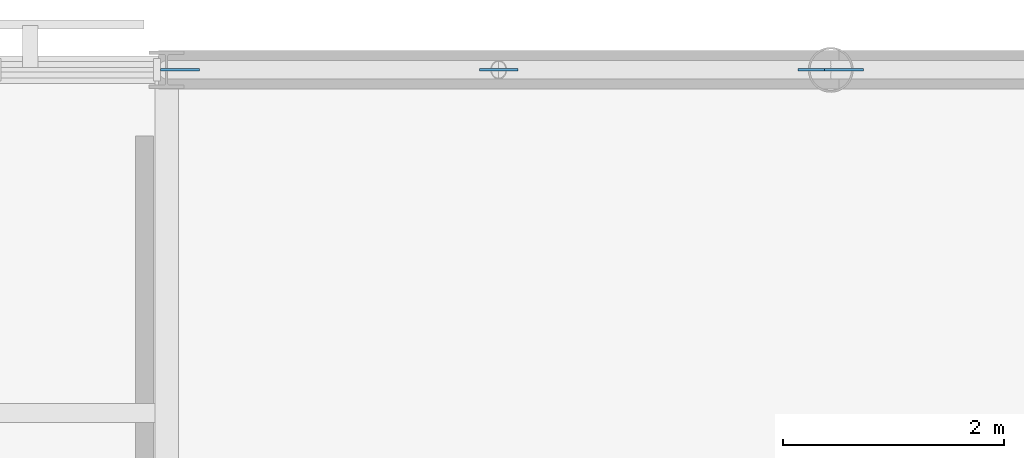
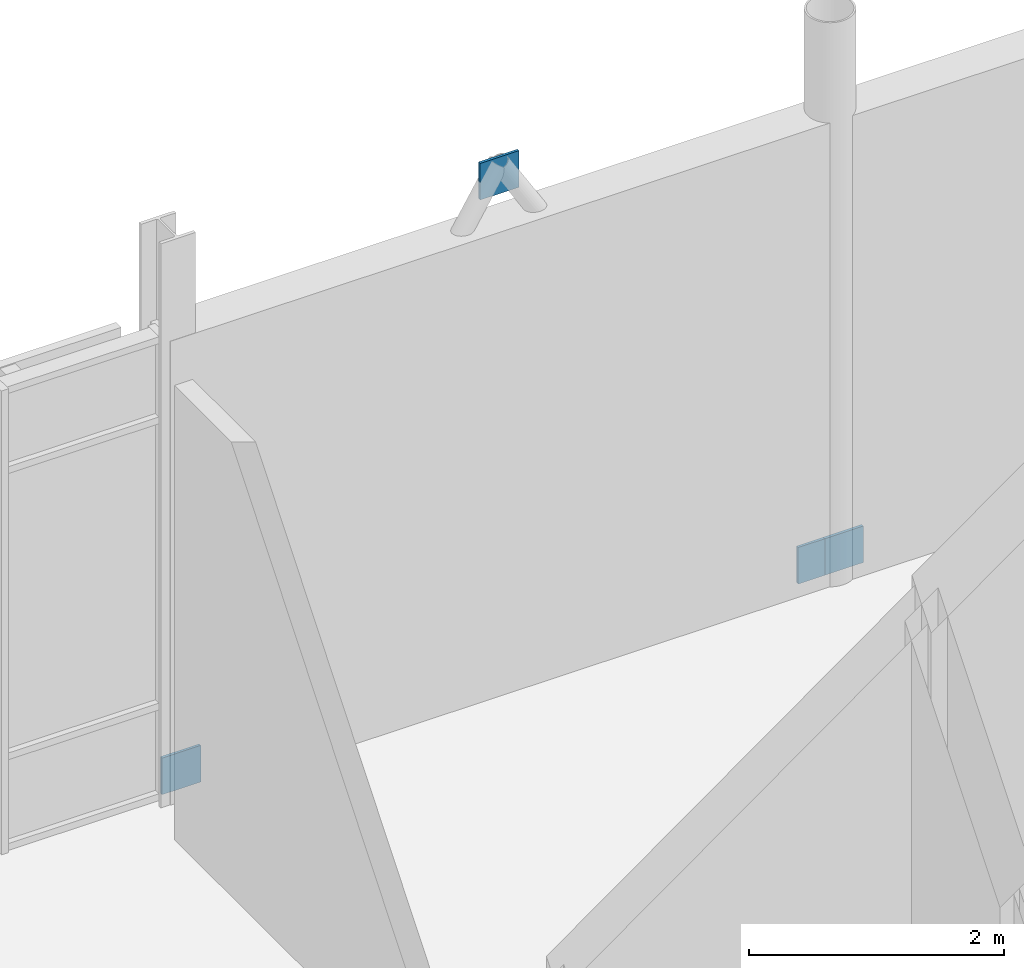
# One storey, part 83 of 105: 4 discrete accessories.
"""IFC4 building model written with IfcOpenShell, lengths in metres."""

from ifc_helpers import new_model, si_unit, direction, frame, origin, origin_2d, place, context, subcontext, project, spatial, rectangle, extrude, material, type_object, element, save


model = new_model("IFC4")

# Units and contexts
model_context = context("Model", 3, precision=1e-05, world=origin(), true_north=direction((0.0, 1.0)))
body_context = subcontext(model_context, "Body", "Model", "MODEL_VIEW")
ifc_project = project(units=[si_unit("LENGTHUNIT", "METRE"), si_unit("AREAUNIT", "SQUARE_METRE"), si_unit("VOLUMEUNIT", "CUBIC_METRE"), si_unit("PLANEANGLEUNIT", "RADIAN"), si_unit("MASSUNIT", "GRAM", prefix="KILO")], contexts=[model_context])

# Site, building, storey
site_placement = place(None, origin())
site = spatial("IfcSite", under=ifc_project, at=site_placement, CompositionType="ELEMENT")
building_placement = place(site_placement, origin())
building = spatial("IfcBuilding", under=site, at=building_placement, Name="Mirzam Square Science Centre", CompositionType="ELEMENT")
storey_placement = place(building_placement, frame((0.0, 0.0, 5.39990234375)))
storey = spatial("IfcBuildingStorey", under=building, at=storey_placement, Name="L01", CompositionType="ELEMENT", Elevation=5.39990234375)

# Discrete accessories
ifc_material = material(Name="Steel S355", Category="steel")
discrete_accessory_type = type_object("IfcDiscreteAccessoryType", Name="BK-BRACE-GUSSET", PredefinedType="BRACKET", material=ifc_material)
for number, where, z_axis, x_axis, name in (
    (1, (120.1201171875, 111.60009765625, -0.0048828125), (0.0, 0.0, 1.0), (1.0, 0.0, 0.0), "L01 brace gusset plate 8A"),
    (2, (125.8798828125, 111.60009765625, -0.0048828125), (0.0, 0.0, 1.0), (1.0, 0.0, 0.0), "L01 brace gusset plate 8B"),
    (3, (123.0, 111.60009765625, 4.679931640625), (0.0, 0.0, 1.0), (1.0, 0.0, 0.0), "L01 brace apex gusset plate 8"),
    (4, (126.1201171875, 111.60009765625, -0.0048828125), (0.0, 0.0, 1.0), (1.0, 0.0, 0.0), "L01 brace gusset plate 9A"),
):
    element("IfcDiscreteAccessory", number, at=place(storey_placement, frame(where, z_axis=z_axis, x_axis=x_axis)), inside=storey, type_object=discrete_accessory_type, Name=name, PredefinedType="BRACKET", context=body_context, shape_type="SweptSolid", body=[
        extrude(rectangle(XDim=0.35009765625, YDim=0.02490234375, at=origin_2d()), origin(), (0.0, 0.0, 1.0), 0.35009765625),
    ])

save(model, "model.ifc")
